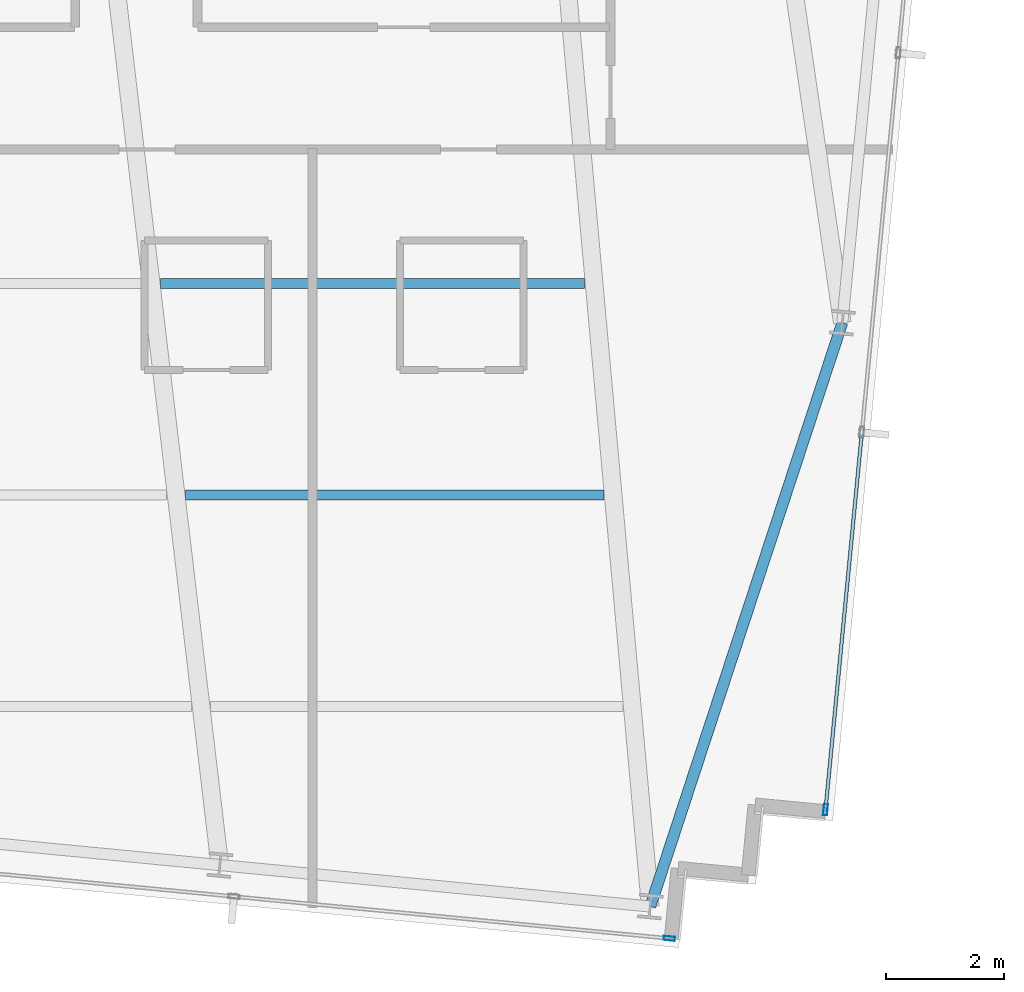
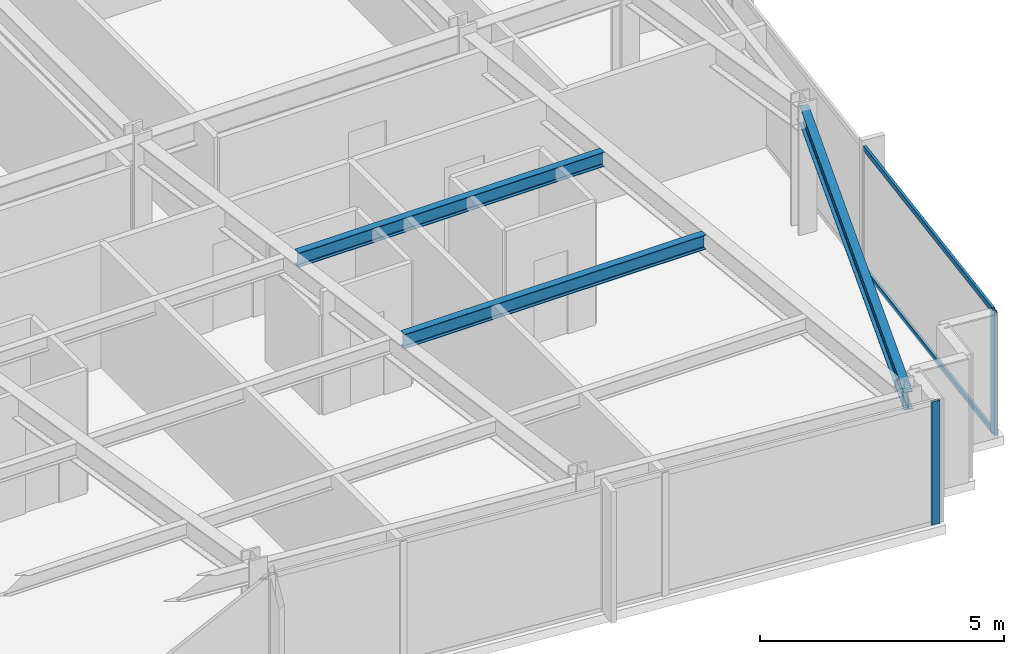
# One storey, part 14 of 37: 4 members, 3 beams, 2 elements without a shape of their own.
"""IFC4 building model written with IfcOpenShell, lengths in metres."""

from ifc_helpers import new_model, si_unit, direction, frame, origin, origin_2d, place, context, subcontext, project, spatial, hollow_rectangle, i_section, extrude, material, material_profile, profile_set, type_object, element, aggregate, save


model = new_model("IFC4")

# Units and contexts
model_context = context("Model", 3, precision=1e-05, world=origin(), true_north=direction((0.0, 1.0)))
body_context = subcontext(model_context, "Body", "Model", "MODEL_VIEW")
ifc_project = project(units=[si_unit("LENGTHUNIT", "METRE"), si_unit("AREAUNIT", "SQUARE_METRE"), si_unit("VOLUMEUNIT", "CUBIC_METRE"), si_unit("PLANEANGLEUNIT", "RADIAN"), si_unit("MASSUNIT", "GRAM", prefix="KILO")], contexts=[model_context])

# Site, building, storey
site_placement = place(None, origin())
site = spatial("IfcSite", under=ifc_project, at=site_placement, CompositionType="ELEMENT")
building_placement = place(site_placement, origin())
building = spatial("IfcBuilding", under=site, at=building_placement, Name="Yelkora Congress Tower", CompositionType="ELEMENT")
storey_placement = place(building_placement, frame((0.0, 0.0, 168.800048828125)))
storey = spatial("IfcBuildingStorey", under=building, at=storey_placement, Name="L46", CompositionType="ELEMENT", Elevation=168.800048828125)

# Beams
ifc_material_1 = material(Name="Steel S355J2", Category="steel")
ifc_material_profile_1 = material_profile(ifc_material_1, i_section(OverallWidth=0.169921875, OverallDepth=0.360107421875, WebThickness=0.008056640625, FlangeThickness=0.0126953125, FilletRadius=0.01806640625, at=origin_2d()), Name="IPE 360")
ifc_profile_set_1 = profile_set([ifc_material_profile_1], Name="Steel S355J2")
beam_type_1 = type_object("IfcBeamType", Name="BM-JOIST-IPE360", PredefinedType="JOIST", material=ifc_profile_set_1)
beam_1_placement = place(storey_placement, frame((47.27587890625, 16.421142578125, 2.89990234375), z_axis=(1.0, 0.0, 0.0), x_axis=(0.0, 1.0, 0.0)))
element("IfcBeam", 1, at=beam_1_placement, inside=storey, type_object=beam_type_1, Name="L46 Composite Floor Joist 11", PredefinedType="JOIST", context=body_context, shape_type="SweptSolid", body=[
    extrude(i_section(OverallWidth=0.169921875, OverallDepth=0.360107421875, WebThickness=0.008056640625, FlangeThickness=0.0126953125, FilletRadius=0.01806640625, at=origin_2d()), origin(), (0.0, 0.0, 1.0), 7.115234375),
])
beam_2_placement = place(storey_placement, frame((46.851318359375, 20.021240234375, 2.89990234375), z_axis=(1.0, 0.0, 0.0), x_axis=(0.0, 1.0, 0.0)))
element("IfcBeam", 2, at=beam_2_placement, inside=storey, type_object=beam_type_1, Name="L46 Composite Floor Joist 18", PredefinedType="JOIST", context=body_context, shape_type="SweptSolid", body=[
    extrude(i_section(OverallWidth=0.169921875, OverallDepth=0.360107421875, WebThickness=0.008056640625, FlangeThickness=0.0126953125, FilletRadius=0.01806640625, at=origin_2d()), origin(), (0.0, 0.0, 1.0), 7.215576171875),
])
ifc_material_profile_2 = material_profile(ifc_material_1, i_section(OverallWidth=0.18994140625, OverallDepth=0.449951171875, WebThickness=0.009521484375, FlangeThickness=0.0146484375, FilletRadius=0.02099609375, at=origin_2d()), Name="IPE 450")
ifc_profile_set_2 = profile_set([ifc_material_profile_2], Name="Steel S355J2")
beam_type_2 = type_object("IfcBeamType", Name="BM-SPAN-IPE450", PredefinedType="SPANDREL", material=ifc_profile_set_2)
beam_3_placement = place(storey_placement, frame((55.18212890625, 9.421142578125, 2.85498046875), z_axis=(0.312456737339, 0.949931990877, 0.0), x_axis=(-0.949931990877, 0.312456737339, 0.0)))
element("IfcBeam", 3, at=beam_3_placement, inside=storey, type_object=beam_type_2, Name="L46 Perimeter Beam 9", PredefinedType="SPANDREL", context=body_context, shape_type="SweptSolid", body=[
    extrude(i_section(OverallWidth=0.18994140625, OverallDepth=0.449951171875, WebThickness=0.009521484375, FlangeThickness=0.0146484375, FilletRadius=0.02099609375, at=origin_2d()), origin(), (0.0, 0.0, 1.0), 10.4560546875),
])

# Curtain wall, member
ifc_material_2 = material(Name="Anodised aluminium and insulated glass", Category="aluminium")
curtain_wall_type = type_object("IfcCurtainWallType", Name="CW-SYS-B3", PredefinedType="NOTDEFINED", material=ifc_material_2)
curtain_wall_1_placement = place(storey_placement, origin())
curtain_wall_1 = element("IfcCurtainWall", 4, at=curtain_wall_1_placement, inside=storey, type_object=curtain_wall_type, Name="L46 Unitised Curtain Wall 15", PredefinedType="NOTDEFINED")
ifc_material_3 = material(Name="Anodised aluminium 6063-T6", Category="aluminium")
ifc_material_profile_3 = material_profile(ifc_material_3, hollow_rectangle(XDim=0.070068359375, YDim=0.18994140625, WallThickness=0.00390625, at=origin_2d()), Name="ALU 70x190x4")
ifc_profile_set_3 = profile_set([ifc_material_profile_3], Name="Anodised aluminium 6063-T6")
member_type_1 = type_object("IfcMemberType", Name="MEM-ML-B3", PredefinedType="MULLION", material=ifc_profile_set_3)
member_1_placement = place(storey_placement, frame((58.163818359375, 11.068115234375, 0.0), z_axis=(0.0, 0.0, 1.0), x_axis=(0.995396565076, -0.095841944023, 0.0)))
member_1 = element("IfcMember", 5, at=member_1_placement, type_object=member_type_1, Name="CW-B3 mullion 6", PredefinedType="MULLION", context=body_context, shape_type="SweptSolid", body=[
    extrude(hollow_rectangle(XDim=0.070068359375, YDim=0.18994140625, WallThickness=0.00390625, at=origin_2d()), origin(), (0.0, 0.0, 1.0), 3.079833984375),
])

curtain_wall_2_placement = place(storey_placement, origin())
curtain_wall_2 = element("IfcCurtainWall", 6, at=curtain_wall_2_placement, inside=storey, type_object=curtain_wall_type, Name="L46 Unitised Curtain Wall 20", PredefinedType="NOTDEFINED")
member_2_placement = place(storey_placement, frame((55.506591796875, 8.877685546875, 0.0), z_axis=(0.0, 0.0, 1.0), x_axis=(-0.095844680679, -0.995396301573, 0.0)))
member_2 = element("IfcMember", 7, at=member_2_placement, type_object=member_type_1, Name="CW-B3 mullion 1", PredefinedType="MULLION", context=body_context, shape_type="SweptSolid", body=[
    extrude(hollow_rectangle(XDim=0.070068359375, YDim=0.18994140625, WallThickness=0.00390625, at=origin_2d()), origin(), (0.0, 0.0, 1.0), 3.079833984375),
])
aggregate(curtain_wall_2, [member_2])

# Member
ifc_material_profile_4 = material_profile(ifc_material_3, hollow_rectangle(XDim=0.06005859375, YDim=0.1298828125, WallThickness=0.00390625, at=origin_2d()), Name="ALU 60x130x4")
ifc_profile_set_4 = profile_set([ifc_material_profile_4], Name="Anodised aluminium 6063-T6")
member_type_2 = type_object("IfcMemberType", Name="MEM-TR-B3", PredefinedType="USERDEFINED", material=ifc_profile_set_4)
member_3_placement = place(storey_placement, frame((58.778564453125, 17.45263671875, 0.030029296875), z_axis=(-0.095869192297, -0.995393941095, 0.0), x_axis=(0.995393941095, -0.095869192297, 0.0)))
member_3 = element("IfcMember", 8, at=member_3_placement, type_object=member_type_2, Name="CW-B3 transom 5.1", ObjectType="TRANSOM", PredefinedType="USERDEFINED", context=body_context, shape_type="SweptSolid", body=[
    extrude(hollow_rectangle(XDim=0.06005859375, YDim=0.1298828125, WallThickness=0.00390625, at=origin_2d()), origin(), (0.0, 0.0, 1.0), 6.379150390625),
])

member_4_placement = place(storey_placement, frame((58.778564453125, 17.45263671875, 3.050048828125), z_axis=(-0.095869192297, -0.995393941095, 0.0), x_axis=(0.995393941095, -0.095869192297, 0.0)))
member_4 = element("IfcMember", 9, at=member_4_placement, type_object=member_type_2, Name="CW-B3 transom 5.2", ObjectType="TRANSOM", PredefinedType="USERDEFINED", context=body_context, shape_type="SweptSolid", body=[
    extrude(hollow_rectangle(XDim=0.06005859375, YDim=0.1298828125, WallThickness=0.00390625, at=origin_2d()), origin(), (0.0, 0.0, 1.0), 6.379150390625),
])

aggregate(curtain_wall_1, [member_1, member_3, member_4])

save(model, "model.ifc")
